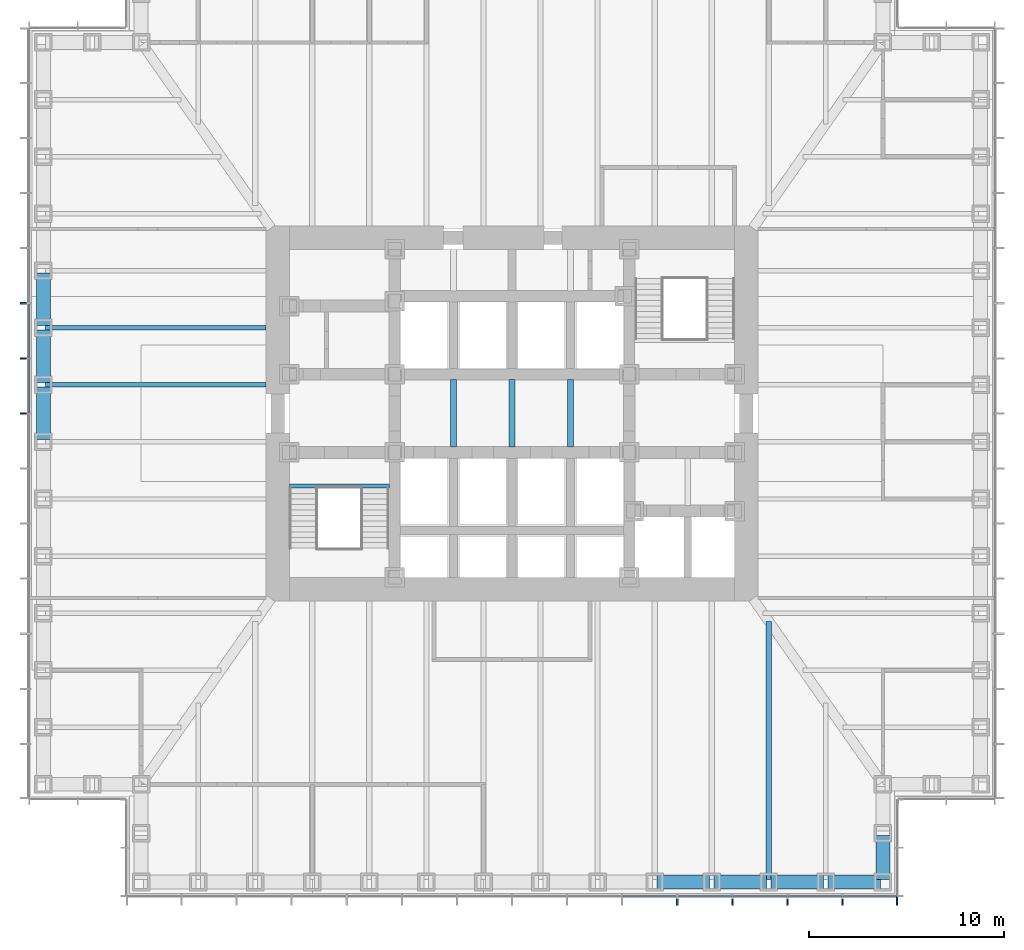
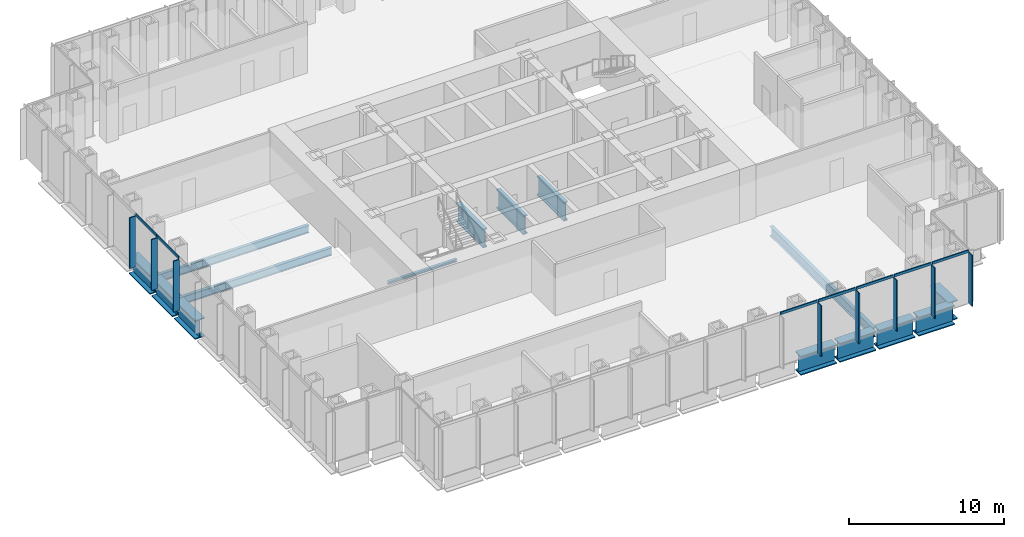
# One storey, part 3 of 17: 15 beams, 15 members, 2 elements without a shape of their own.
"""IFC4 building model written with IfcOpenShell, lengths in metres."""

from ifc_helpers import new_model, si_unit, direction, frame, origin, origin_2d, place, context, subcontext, project, spatial, rectangle, i_section, extrude, material, material_profile, profile_set, type_object, element, aggregate, save


model = new_model("IFC4")

# Units and contexts
model_context = context("Model", 3, precision=1e-05, world=origin(), true_north=direction((0.0, 1.0)))
body_context = subcontext(model_context, "Body", "Model", "MODEL_VIEW")
ifc_project = project(units=[si_unit("LENGTHUNIT", "METRE"), si_unit("AREAUNIT", "SQUARE_METRE"), si_unit("VOLUMEUNIT", "CUBIC_METRE"), si_unit("PLANEANGLEUNIT", "RADIAN"), si_unit("MASSUNIT", "GRAM", prefix="KILO")], contexts=[model_context])

# Site, building, storey
site_placement = place(None, origin())
site = spatial("IfcSite", under=ifc_project, at=site_placement, CompositionType="ELEMENT")
building_placement = place(site_placement, origin())
building = spatial("IfcBuilding", under=site, at=building_placement, Name="Daluyong Arena Tower", CompositionType="ELEMENT")
storey_placement = place(building_placement, frame((0.0, 0.0, 60.10009765625)))
storey = spatial("IfcBuildingStorey", under=building, at=storey_placement, Name="L12", CompositionType="ELEMENT", Elevation=60.10009765625)

# Curtain wall, members
ifc_material_1 = material(Name="Bronze anodised aluminium and glass", Category="aluminium")
curtain_wall_type = type_object("IfcCurtainWallType", Name="Curtain wall CW1", PredefinedType="USERDEFINED", material=ifc_material_1)
curtain_wall_1_placement = place(storey_placement, origin())
curtain_wall_1 = element("IfcCurtainWall", 1, at=curtain_wall_1_placement, inside=storey, type_object=curtain_wall_type, Name="curtain wall L12 S", ObjectType="UNITISED CURTAIN WALL", PredefinedType="USERDEFINED")
ifc_material_2 = material(Name="Bronze anodised aluminium fin", Category="aluminium")
ifc_material_profile_1 = material_profile(ifc_material_2, rectangle(XDim=0.449951171875, YDim=0.080078125, at=origin_2d()))
ifc_profile_set_1 = profile_set([ifc_material_profile_1], Name="Bronze anodised aluminium fin")
member_type_1 = type_object("IfcMemberType", Name="CW1 bronze fin 450x80", PredefinedType="MULLION", material=ifc_profile_set_1)
member_1_placement = place(storey_placement, frame((64.46435546875, 55.02490234375, 0.0), z_axis=(0.0, 0.0, 1.0), x_axis=(0.0, 1.0, 0.0)))
member_1 = element("IfcMember", 2, at=member_1_placement, type_object=member_type_1, Name="curtain wall L12 S fin 11", PredefinedType="MULLION", context=body_context, shape_type="SweptSolid", body=[
    extrude(rectangle(XDim=0.449951171875, YDim=0.080078125, at=origin_2d()), origin(), (0.0, 0.0, 1.0), 4.0),
])
member_2_placement = place(storey_placement, frame((67.28564453125, 55.02490234375, 0.0), z_axis=(0.0, 0.0, 1.0), x_axis=(0.0, 1.0, 0.0)))
member_2 = element("IfcMember", 3, at=member_2_placement, type_object=member_type_1, Name="curtain wall L12 S fin 12", PredefinedType="MULLION", context=body_context, shape_type="SweptSolid", body=[
    extrude(rectangle(XDim=0.449951171875, YDim=0.080078125, at=origin_2d()), origin(), (0.0, 0.0, 1.0), 4.0),
])
member_3_placement = place(storey_placement, frame((70.107177734375, 55.02490234375, 0.0), z_axis=(0.0, 0.0, 1.0), x_axis=(0.0, 1.0, 0.0)))
member_3 = element("IfcMember", 4, at=member_3_placement, type_object=member_type_1, Name="curtain wall L12 S fin 13", PredefinedType="MULLION", context=body_context, shape_type="SweptSolid", body=[
    extrude(rectangle(XDim=0.449951171875, YDim=0.080078125, at=origin_2d()), origin(), (0.0, 0.0, 1.0), 4.0),
])
member_4_placement = place(storey_placement, frame((72.928466796875, 55.02490234375, 0.0), z_axis=(0.0, 0.0, 1.0), x_axis=(0.0, 1.0, 0.0)))
member_4 = element("IfcMember", 5, at=member_4_placement, type_object=member_type_1, Name="curtain wall L12 S fin 14", PredefinedType="MULLION", context=body_context, shape_type="SweptSolid", body=[
    extrude(rectangle(XDim=0.449951171875, YDim=0.080078125, at=origin_2d()), origin(), (0.0, 0.0, 1.0), 4.0),
])
member_5_placement = place(storey_placement, frame((75.7099609375, 55.02490234375, 0.0), z_axis=(0.0, 0.0, 1.0), x_axis=(0.0, 1.0, 0.0)))
member_5 = element("IfcMember", 6, at=member_5_placement, type_object=member_type_1, Name="curtain wall L12 S fin 15", PredefinedType="MULLION", context=body_context, shape_type="SweptSolid", body=[
    extrude(rectangle(XDim=0.449951171875, YDim=0.080078125, at=origin_2d()), origin(), (0.0, 0.0, 1.0), 4.0),
])

curtain_wall_2_placement = place(storey_placement, origin())
curtain_wall_2 = element("IfcCurtainWall", 7, at=curtain_wall_2_placement, inside=storey, type_object=curtain_wall_type, Name="curtain wall L12 W", ObjectType="UNITISED CURTAIN WALL", PredefinedType="USERDEFINED")
member_6_placement = place(storey_placement, frame((31.02490234375, 85.642822265625, 0.0), z_axis=(0.0, 0.0, 1.0), x_axis=(1.0, 0.0, 0.0)))
member_6 = element("IfcMember", 8, at=member_6_placement, type_object=member_type_1, Name="curtain wall L12 W fin 6", PredefinedType="MULLION", context=body_context, shape_type="SweptSolid", body=[
    extrude(rectangle(XDim=0.449951171875, YDim=0.080078125, at=origin_2d()), origin(), (0.0, 0.0, 1.0), 4.0),
])
member_7_placement = place(storey_placement, frame((31.02490234375, 82.821533203125, 0.0), z_axis=(0.0, 0.0, 1.0), x_axis=(1.0, 0.0, 0.0)))
member_7 = element("IfcMember", 9, at=member_7_placement, type_object=member_type_1, Name="curtain wall L12 W fin 7", PredefinedType="MULLION", context=body_context, shape_type="SweptSolid", body=[
    extrude(rectangle(XDim=0.449951171875, YDim=0.080078125, at=origin_2d()), origin(), (0.0, 0.0, 1.0), 4.0),
])
member_8_placement = place(storey_placement, frame((31.02490234375, 80.0, 0.0), z_axis=(0.0, 0.0, 1.0), x_axis=(1.0, 0.0, 0.0)))
member_8 = element("IfcMember", 10, at=member_8_placement, type_object=member_type_1, Name="curtain wall L12 W fin 8", PredefinedType="MULLION", context=body_context, shape_type="SweptSolid", body=[
    extrude(rectangle(XDim=0.449951171875, YDim=0.080078125, at=origin_2d()), origin(), (0.0, 0.0, 1.0), 4.0),
])

# Member
ifc_material_3 = material(Name="Bronze anodised aluminium", Category="aluminium")
ifc_material_profile_2 = material_profile(ifc_material_3, rectangle(XDim=0.080078125, YDim=0.199951171875, at=origin_2d()))
ifc_profile_set_2 = profile_set([ifc_material_profile_2], Name="Bronze anodised aluminium")
member_type_2 = type_object("IfcMemberType", Name="CW1 stack transom 200x80", PredefinedType="USERDEFINED", material=ifc_profile_set_2)
member_9_placement = place(storey_placement, frame((61.682861328125, 55.25, 4.099853515625), z_axis=(1.0, 0.0, 0.0), x_axis=(0.0, 1.0, 0.0)))
member_9 = element("IfcMember", 11, at=member_9_placement, type_object=member_type_2, Name="curtain wall L12 S transom 10", ObjectType="TRANSOM", PredefinedType="USERDEFINED", context=body_context, shape_type="SweptSolid", body=[
    extrude(rectangle(XDim=0.080078125, YDim=0.199951171875, at=origin_2d()), origin(), (0.0, 0.0, 1.0), 2.741455078125),
])

member_10_placement = place(storey_placement, frame((64.50439453125, 55.25, 4.099853515625), z_axis=(1.0, 0.0, 0.0), x_axis=(0.0, 1.0, 0.0)))
member_10 = element("IfcMember", 12, at=member_10_placement, type_object=member_type_2, Name="curtain wall L12 S transom 11", ObjectType="TRANSOM", PredefinedType="USERDEFINED", context=body_context, shape_type="SweptSolid", body=[
    extrude(rectangle(XDim=0.080078125, YDim=0.199951171875, at=origin_2d()), origin(), (0.0, 0.0, 1.0), 2.7412109375),
])

member_11_placement = place(storey_placement, frame((67.32568359375, 55.25, 4.099853515625), z_axis=(1.0, 0.0, 0.0), x_axis=(0.0, 1.0, 0.0)))
member_11 = element("IfcMember", 13, at=member_11_placement, type_object=member_type_2, Name="curtain wall L12 S transom 12", ObjectType="TRANSOM", PredefinedType="USERDEFINED", context=body_context, shape_type="SweptSolid", body=[
    extrude(rectangle(XDim=0.080078125, YDim=0.199951171875, at=origin_2d()), origin(), (0.0, 0.0, 1.0), 2.741455078125),
])

member_12_placement = place(storey_placement, frame((70.147216796875, 55.25, 4.099853515625), z_axis=(1.0, 0.0, 0.0), x_axis=(0.0, 1.0, 0.0)))
member_12 = element("IfcMember", 14, at=member_12_placement, type_object=member_type_2, Name="curtain wall L12 S transom 13", ObjectType="TRANSOM", PredefinedType="USERDEFINED", context=body_context, shape_type="SweptSolid", body=[
    extrude(rectangle(XDim=0.080078125, YDim=0.199951171875, at=origin_2d()), origin(), (0.0, 0.0, 1.0), 2.741455078125),
])

member_13_placement = place(storey_placement, frame((72.968505859375, 55.25, 4.099853515625), z_axis=(1.0, 0.0, 0.0), x_axis=(0.0, 1.0, 0.0)))
member_13 = element("IfcMember", 15, at=member_13_placement, type_object=member_type_2, Name="curtain wall L12 S transom 14", ObjectType="TRANSOM", PredefinedType="USERDEFINED", context=body_context, shape_type="SweptSolid", body=[
    extrude(rectangle(XDim=0.080078125, YDim=0.199951171875, at=origin_2d()), origin(), (0.0, 0.0, 1.0), 2.701416015625),
])

aggregate(curtain_wall_1, [member_1, member_2, member_3, member_4, member_5, member_9, member_10, member_11, member_12, member_13])

member_14_placement = place(storey_placement, frame((31.25, 85.602783203125, 4.099853515625), z_axis=(0.0, -1.0, 0.0), x_axis=(1.0, 0.0, 0.0)))
member_14 = element("IfcMember", 16, at=member_14_placement, type_object=member_type_2, Name="curtain wall L12 W transom 6", ObjectType="TRANSOM", PredefinedType="USERDEFINED", context=body_context, shape_type="SweptSolid", body=[
    extrude(rectangle(XDim=0.080078125, YDim=0.199951171875, at=origin_2d()), origin(), (0.0, 0.0, 1.0), 2.741455078125),
])

member_15_placement = place(storey_placement, frame((31.25, 82.781494140625, 4.099853515625), z_axis=(0.0, -1.0, 0.0), x_axis=(1.0, 0.0, 0.0)))
member_15 = element("IfcMember", 17, at=member_15_placement, type_object=member_type_2, Name="curtain wall L12 W transom 7", ObjectType="TRANSOM", PredefinedType="USERDEFINED", context=body_context, shape_type="SweptSolid", body=[
    extrude(rectangle(XDim=0.080078125, YDim=0.199951171875, at=origin_2d()), origin(), (0.0, 0.0, 1.0), 2.741455078125),
])

aggregate(curtain_wall_2, [member_6, member_7, member_8, member_14, member_15])

# Beams
ifc_material_4 = material(Name="Steel ASTM A992 Grade 50", Category="steel")
ifc_material_profile_3 = material_profile(ifc_material_4, i_section(OverallWidth=0.22900390625, OverallDepth=0.612060546875, WebThickness=0.011962890625, FlangeThickness=0.01953125, at=origin_2d()))
ifc_profile_set_3 = profile_set([ifc_material_profile_3], Name="Steel ASTM A992 Grade 50")
beam_type_1 = type_object("IfcBeamType", Name="Floor beam W24X84", PredefinedType="BEAM", material=ifc_profile_set_3)
for number, where, z_axis, x_axis, name in (
    (18, (32.114990234375, 84.384521484375, -0.466064453125), (1.0, 0.0, 0.0), (0.0, 1.0, 0.0), "floor beam FB3"),
    (19, (32.114990234375, 81.46142578125, -0.466064453125), (1.0, 0.0, 0.0), (0.0, 1.0, 0.0), "floor beam FB3"),
):
    element("IfcBeam", number, at=place(storey_placement, frame(where, z_axis=z_axis, x_axis=x_axis)), inside=storey, type_object=beam_type_1, Name=name, PredefinedType="BEAM", context=body_context, shape_type="SweptSolid", body=[
        extrude(i_section(OverallWidth=0.22900390625, OverallDepth=0.612060546875, WebThickness=0.011962890625, FlangeThickness=0.01953125, at=origin_2d()), origin(), (0.0, 0.0, 1.0), 11.284912109375),
    ])
ifc_material_5 = material(Name="Steel ASTM A992 Grade 50", Category="steel")
ifc_material_profile_4 = material_profile(ifc_material_5, i_section(OverallWidth=0.2666015625, OverallDepth=0.761962890625, WebThickness=0.014404296875, FlangeThickness=0.021484375, at=origin_2d()))
ifc_profile_set_4 = profile_set([ifc_material_profile_4], Name="Steel ASTM A992 Grade 50")
beam_type_2 = type_object("IfcBeamType", Name="Floor beam W30X116", PredefinedType="BEAM", material=ifc_profile_set_4)
beam_1_placement = place(storey_placement, frame((69.15380859375, 56.114990234375, -0.541015625), z_axis=(0.0, 1.0, 0.0), x_axis=(-1.0, 0.0, 0.0)))
element("IfcBeam", 20, at=beam_1_placement, inside=storey, type_object=beam_type_2, Name="floor beam FB4", PredefinedType="BEAM", context=body_context, shape_type="SweptSolid", body=[
    extrude(i_section(OverallWidth=0.2666015625, OverallDepth=0.761962890625, WebThickness=0.014404296875, FlangeThickness=0.021484375, at=origin_2d()), origin(), (0.0, 0.0, 1.0), 13.236572265625),
])
ifc_material_6 = material(Name="Steel ASTM A572 Grade 50", Category="steel")
ifc_material_profile_5 = material_profile(ifc_material_6, i_section(OverallWidth=0.300048828125, OverallDepth=1.5, WebThickness=0.04, FlangeThickness=0.1, at=origin_2d()))
ifc_profile_set_5 = profile_set([ifc_material_profile_5], Name="Steel ASTM A572 Grade 50")
beam_type_3 = type_object("IfcBeamType", Name="Lift divider beam PG1500X300", PredefinedType="BEAM", material=ifc_profile_set_5)
for number, where, z_axis, x_axis, name in (
    (21, (53.0, 78.27490234375, -0.91015625), (0.0, 1.0, 0.0), (-1.0, 0.0, 0.0), "lift divider beam DB2"),
    (22, (56.0, 78.27490234375, -0.91015625), (0.0, 1.0, 0.0), (-1.0, 0.0, 0.0), "lift divider beam DB2"),
    (23, (59.0, 78.27490234375, -0.91015625), (0.0, 1.0, 0.0), (-1.0, 0.0, 0.0), "lift divider beam DB2"),
):
    element("IfcBeam", number, at=place(storey_placement, frame(where, z_axis=z_axis, x_axis=x_axis)), inside=storey, type_object=beam_type_3, Name=name, PredefinedType="BEAM", context=body_context, shape_type="SweptSolid", body=[
        extrude(i_section(OverallWidth=0.300048828125, OverallDepth=1.5, WebThickness=0.04, FlangeThickness=0.1, at=origin_2d()), origin(), (0.0, 0.0, 1.0), 3.4501953125),
    ])
ifc_material_7 = material(Name="Steel ASTM A572 Grade 50", Category="steel")
ifc_material_profile_6 = material_profile(ifc_material_7, i_section(OverallWidth=0.699951171875, OverallDepth=1.5, WebThickness=0.04, FlangeThickness=0.08, at=origin_2d()))
ifc_profile_set_6 = profile_set([ifc_material_profile_6], Name="Steel ASTM A572 Grade 50")
beam_type_4 = type_object("IfcBeamType", Name="Spandrel Z1 PG1500X700", PredefinedType="SPANDREL", material=ifc_profile_set_6)
for number, where, z_axis, x_axis, name in (
    (24, (63.422607421875, 56.0, -0.91015625), (1.0, 0.0, 0.0), (0.0, 1.0, 0.0), "spandrel z1 SB4"),
    (25, (66.345703125, 56.0, -0.91015625), (1.0, 0.0, 0.0), (0.0, 1.0, 0.0), "spandrel z1 SB4"),
    (26, (69.268798828125, 56.0, -0.91015625), (1.0, 0.0, 0.0), (0.0, 1.0, 0.0), "spandrel z1 SB4"),
    (27, (72.19189453125, 56.0, -0.91015625), (1.0, 0.0, 0.0), (0.0, 1.0, 0.0), "spandrel z1 SB4"),
):
    element("IfcBeam", number, at=place(storey_placement, frame(where, z_axis=z_axis, x_axis=x_axis)), inside=storey, type_object=beam_type_4, Name=name, PredefinedType="SPANDREL", context=body_context, shape_type="SweptSolid", body=[
        extrude(i_section(OverallWidth=0.699951171875, OverallDepth=1.5, WebThickness=0.04, FlangeThickness=0.08, at=origin_2d()), origin(), (0.0, 0.0, 1.0), 2.693115234375),
    ])
beam_2_placement = place(storey_placement, frame((75.0, 56.114990234375, -0.91015625), z_axis=(0.0, 1.0, 0.0), x_axis=(-1.0, 0.0, 0.0)))
element("IfcBeam", 28, at=beam_2_placement, inside=storey, type_object=beam_type_4, Name="spandrel z1 SB4", PredefinedType="SPANDREL", context=body_context, shape_type="SweptSolid", body=[
    extrude(i_section(OverallWidth=0.699951171875, OverallDepth=1.5, WebThickness=0.04, FlangeThickness=0.08, at=origin_2d()), origin(), (0.0, 0.0, 1.0), 2.27001953125),
])
for number, where, z_axis, x_axis, name in (
    (29, (32.0, 87.192626953125, -0.91015625), (0.0, -1.0, 0.0), (1.0, 0.0, 0.0), "spandrel z1 SB4"),
    (30, (32.0, 84.26953125, -0.91015625), (0.0, -1.0, 0.0), (1.0, 0.0, 0.0), "spandrel z1 SB4"),
):
    element("IfcBeam", number, at=place(storey_placement, frame(where, z_axis=z_axis, x_axis=x_axis)), inside=storey, type_object=beam_type_4, Name=name, PredefinedType="SPANDREL", context=body_context, shape_type="SweptSolid", body=[
        extrude(i_section(OverallWidth=0.699951171875, OverallDepth=1.5, WebThickness=0.04, FlangeThickness=0.08, at=origin_2d()), origin(), (0.0, 0.0, 1.0), 2.693115234375),
    ])
beam_3_placement = place(storey_placement, frame((32.0, 81.346435546875, -0.91015625), z_axis=(0.0, -1.0, 0.0), x_axis=(1.0, 0.0, 0.0)))
element("IfcBeam", 31, at=beam_3_placement, inside=storey, type_object=beam_type_4, Name="spandrel z1 SB4", PredefinedType="SPANDREL", context=body_context, shape_type="SweptSolid", body=[
    extrude(i_section(OverallWidth=0.699951171875, OverallDepth=1.5, WebThickness=0.04, FlangeThickness=0.08, at=origin_2d()), origin(), (0.0, 0.0, 1.0), 2.69287109375),
])
ifc_material_8 = material(Name="Steel ASTM A992 Grade 50", Category="steel")
ifc_material_profile_7 = material_profile(ifc_material_8, i_section(OverallWidth=0.203125, OverallDepth=0.203125, WebThickness=0.00732421875, FlangeThickness=0.010986328125, at=origin_2d()))
ifc_profile_set_7 = profile_set([ifc_material_profile_7], Name="Steel ASTM A992 Grade 50")
beam_type_5 = type_object("IfcBeamType", Name="Stair landing beam W8X31", PredefinedType="BEAM", material=ifc_profile_set_7)
beam_4_placement = place(storey_placement, frame((44.60009765625, 76.276611328125, -0.26171875), z_axis=(1.0, 0.0, 0.0), x_axis=(0.0, 1.0, 0.0)))
element("IfcBeam", 32, at=beam_4_placement, inside=storey, type_object=beam_type_5, Name="exit stair A landing beam", PredefinedType="BEAM", context=body_context, shape_type="SweptSolid", body=[
    extrude(i_section(OverallWidth=0.203125, OverallDepth=0.203125, WebThickness=0.00732421875, FlangeThickness=0.010986328125, at=origin_2d()), origin(), (0.0, 0.0, 1.0), 5.125),
])

save(model, "model.ifc")
